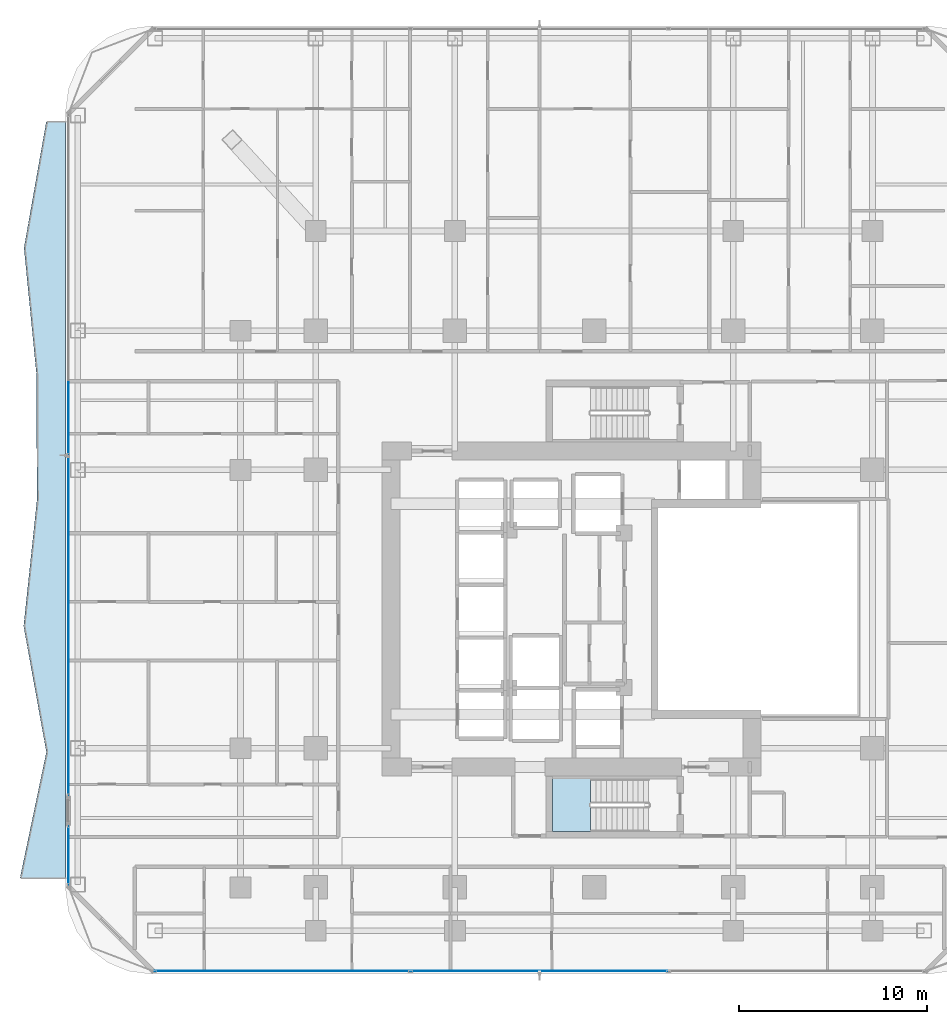
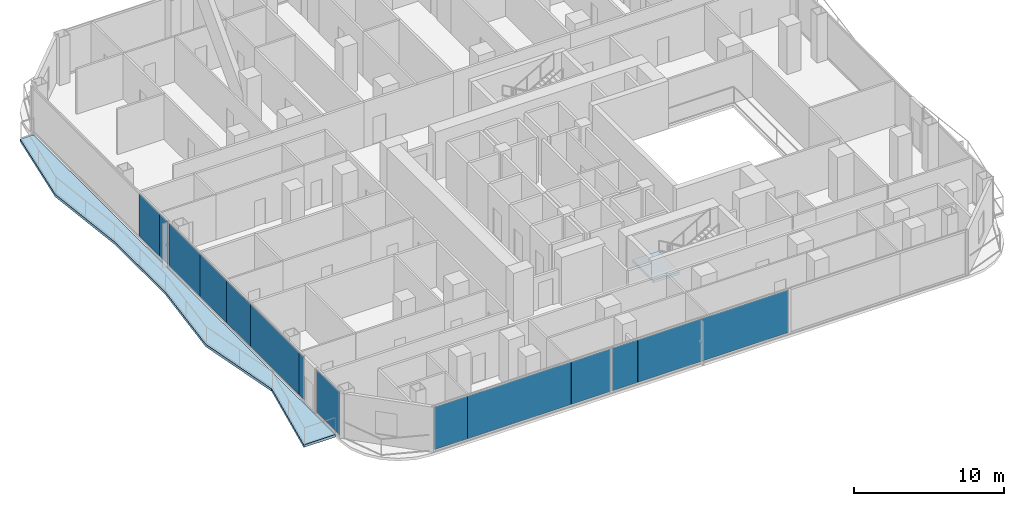
# One storey, part 17 of 28: 13 plates, 2 slabs, 4 elements without a shape of their own.
"""IFC4 building model written with IfcOpenShell, lengths in metres."""

from ifc_helpers import new_model, si_unit, direction, frame, origin, origin_2d, place, context, subcontext, project, spatial, polyline, rectangle, outline, extrude, material, layer, layer_set, type_object, element, aggregate, save


model = new_model("IFC4")

# Units and contexts
model_context = context("Model", 3, precision=1e-05, world=origin(), true_north=direction((0.0, 1.0)))
body_context = subcontext(model_context, "Body", "Model", "MODEL_VIEW")
ifc_project = project(units=[si_unit("LENGTHUNIT", "METRE"), si_unit("AREAUNIT", "SQUARE_METRE"), si_unit("VOLUMEUNIT", "CUBIC_METRE"), si_unit("PLANEANGLEUNIT", "RADIAN"), si_unit("MASSUNIT", "GRAM", prefix="KILO")], contexts=[model_context])

# Site, building, storey
site_placement = place(None, origin())
site = spatial("IfcSite", under=ifc_project, at=site_placement, CompositionType="ELEMENT")
building_placement = place(site_placement, origin())
building = spatial("IfcBuilding", under=site, at=building_placement, Name="Khorvyn Point Tower", CompositionType="ELEMENT")
storey_placement = place(building_placement, frame((0.0, 0.0, 89.10009765625)))
storey = spatial("IfcBuildingStorey", under=building, at=storey_placement, Name="L22", CompositionType="ELEMENT", Elevation=89.10009765625)

# Slab
ifc_material_1 = material(Name="Concrete C40/50", Category="concrete")
ifc_layer_1 = layer(ifc_material_1, 0.2099609375)
ifc_layer_set_1 = layer_set([ifc_layer_1], Name="Concrete C40/50 Rippling Balcony Slab 210")
slab_type_1 = type_object("IfcSlabType", Name="Concrete C40/50 Rippling Balcony Slab 210", PredefinedType="USERDEFINED", material=ifc_layer_set_1)
slab_1_placement = place(storey_placement, frame((0.0, 0.0, -0.210205078125)))
element("IfcSlab", 1, at=slab_1_placement, inside=storey, type_object=slab_type_1, Name="L22 West Sinusoidal Rippling Balcony", ObjectType="BALCONY", PredefinedType="USERDEFINED", context=body_context, shape_type="SweptSolid", body=[
    extrude(outline(polyline([(-28.10009765625, 25.89990234375), (-29.1279296875, 25.89990234375), (-30.3095703125, 19.199951171875), (-29.648193359375, 12.5), (-29.62060546875, 5.800048828125), (-30.330078125, -0.89990234375), (-29.11962890625, -7.60009765625), (-30.5224609375, -14.300048828125), (-28.10009765625, -14.300048828125), (-28.10009765625, 25.89990234375)])), origin(), (0.0, 0.0, 1.0), 0.210205078125),
])

# Stair, slab
stair_type = type_object("IfcStairType", Name="Tower Concrete C40/50 Dogleg Exit Stair", PredefinedType="HALF_TURN_STAIR", material=ifc_material_1)
stair_placement = place(storey_placement, origin())
stair = element("IfcStair", 2, at=stair_placement, inside=storey, type_object=stair_type, Name="L22 Tower Smokeproof Exit Stair South", PredefinedType="HALF_TURN_STAIR")
ifc_layer_2 = layer(ifc_material_1, 0.199951171875)
ifc_layer_set_2 = layer_set([ifc_layer_2], Name="Concrete C40/50 Stair Landing Slab 200")
slab_type_2 = type_object("IfcSlabType", Name="Concrete C40/50 Stair Landing Slab 200", PredefinedType="LANDING", material=ifc_layer_set_2)
slab_2_placement = place(storey_placement, frame((0.0, 0.0, 1.75)))
slab_2 = element("IfcSlab", 3, at=slab_2_placement, type_object=slab_type_2, Name="ST-01 landing 1", PredefinedType="LANDING", context=body_context, shape_type="SweptSolid", body=[
    extrude(outline(polyline([(-0.179931640625, -9.02001953125), (-2.199951171875, -9.02001953125), (-2.199951171875, -11.820068359375), (-0.179931640625, -11.820068359375), (-0.179931640625, -9.02001953125)])), origin(), (0.0, 0.0, 1.0), 0.199951171875),
])
aggregate(stair, [slab_2])

# Curtain wall, plates
ifc_material_2 = material(Name="Anodised aluminium 6063-T6 and laminated Low-E glass", Category="aluminium")
ifc_layer_3 = layer(ifc_material_2, 0.18994140625)
ifc_layer_set_3 = layer_set([ifc_layer_3], Name="Stick-Built Finned Residential Curtain Wall CW-SYS-02")
curtain_wall_type = type_object("IfcCurtainWallType", Name="Stick-Built Finned Residential Curtain Wall CW-SYS-02", PredefinedType="NOTDEFINED", material=ifc_layer_set_3)
curtain_wall_1_placement = place(storey_placement, origin())
curtain_wall_1 = element("IfcCurtainWall", 4, at=curtain_wall_1_placement, inside=storey, type_object=curtain_wall_type, Name="Curtain Wall", PredefinedType="NOTDEFINED")
ifc_material_3 = material(Name="Laminated Low-E insulated glass", Category="glass")
ifc_layer_4 = layer(ifc_material_3, 0.028076171875)
ifc_layer_set_4 = layer_set([ifc_layer_4], Name="Tempered Low-E Vision Glazing Panel CW-GL28")
plate_type = type_object("IfcPlateType", Name="Tempered Low-E Vision Glazing Panel CW-GL28", PredefinedType="CURTAIN_PANEL", material=ifc_layer_set_4)
plate_1_placement = place(storey_placement, frame((-8.697021484375, -19.25, 0.099853515625), z_axis=(0.0, 0.0, 1.0), x_axis=(-1.0, 0.0, 0.0)))
plate_1 = element("IfcPlate", 5, at=plate_1_placement, type_object=plate_type, Name="Panel", PredefinedType="CURTAIN_PANEL", context=body_context, shape_type="SweptSolid", body=[
    extrude(rectangle(XDim=1.998046875, YDim=0.028076171875, at=origin_2d()), origin(), (0.0, 0.0, 1.0), 3.47998046875),
])
plate_2_placement = place(storey_placement, frame((-1.89697265625, -19.25, 0.099853515625), z_axis=(0.0, 0.0, 1.0), x_axis=(-1.0, 0.0, 0.0)))
plate_2 = element("IfcPlate", 6, at=plate_2_placement, type_object=plate_type, Name="Panel", PredefinedType="CURTAIN_PANEL", context=body_context, shape_type="SweptSolid", body=[
    extrude(rectangle(XDim=11.5859375, YDim=0.028076171875, at=origin_2d()), origin(), (0.0, 0.0, 1.0), 3.47998046875),
])
plate_3_placement = place(storey_placement, frame((-22.068115234375, -19.25, 0.099853515625), z_axis=(0.0, 0.0, 1.0), x_axis=(-1.0, 0.0, 0.0)))
plate_3 = element("IfcPlate", 7, at=plate_3_placement, type_object=plate_type, Name="Panel", PredefinedType="CURTAIN_PANEL", context=body_context, shape_type="SweptSolid", body=[
    extrude(rectangle(XDim=2.555908203125, YDim=0.028076171875, at=origin_2d()), origin(), (0.0, 0.0, 1.0), 3.47998046875),
])
plate_4_placement = place(storey_placement, frame((-16.798583984375, -19.25, 0.099853515625), z_axis=(0.0, 0.0, 1.0), x_axis=(-1.0, 0.0, 0.0)))
plate_4 = element("IfcPlate", 8, at=plate_4_placement, type_object=plate_type, Name="Panel", PredefinedType="CURTAIN_PANEL", context=body_context, shape_type="SweptSolid", body=[
    extrude(rectangle(XDim=7.967041015625, YDim=0.028076171875, at=origin_2d()), origin(), (0.0, 0.0, 1.0), 3.47998046875),
])
plate_5_placement = place(storey_placement, frame((-11.305419921875, -19.25, 0.099853515625), z_axis=(0.0, 0.0, 1.0), x_axis=(-1.0, 0.0, 0.0)))
plate_5 = element("IfcPlate", 9, at=plate_5_placement, type_object=plate_type, Name="Panel", PredefinedType="CURTAIN_PANEL", context=body_context, shape_type="SweptSolid", body=[
    extrude(rectangle(XDim=3.0029296875, YDim=0.028076171875, at=origin_2d()), origin(), (0.0, 0.0, 1.0), 3.47998046875),
])
aggregate(curtain_wall_1, [plate_1, plate_2, plate_3, plate_4, plate_5])

# Curtain wall, plate
curtain_wall_2_placement = place(storey_placement, origin())
curtain_wall_2 = element("IfcCurtainWall", 10, at=curtain_wall_2_placement, inside=storey, type_object=curtain_wall_type, Name="Curtain Wall", PredefinedType="NOTDEFINED")
plate_6_placement = place(storey_placement, frame((-27.949951171875, -13.094970703125, 0.099853515625), z_axis=(0.0, 0.0, 1.0), x_axis=(0.0, 1.0, 0.0)))
plate_6 = element("IfcPlate", 11, at=plate_6_placement, type_object=plate_type, Name="Panel", PredefinedType="CURTAIN_PANEL", context=body_context, shape_type="SweptSolid", body=[
    extrude(rectangle(XDim=3.110107421875, YDim=0.028076171875, at=origin_2d()), origin(), (0.0, 0.0, 1.0), 3.47998046875),
])
aggregate(curtain_wall_2, [plate_6])

# Curtain wall, plates
curtain_wall_3_placement = place(storey_placement, origin())
curtain_wall_3 = element("IfcCurtainWall", 12, at=curtain_wall_3_placement, inside=storey, type_object=curtain_wall_type, Name="Curtain Wall", PredefinedType="NOTDEFINED")
plate_7_placement = place(storey_placement, frame((-27.949951171875, -9.580078125, 0.099853515625), z_axis=(0.0, 0.0, 1.0), x_axis=(0.0, 1.0, 0.0)))
plate_7 = element("IfcPlate", 13, at=plate_7_placement, type_object=plate_type, Name="Panel", PredefinedType="CURTAIN_PANEL", context=body_context, shape_type="SweptSolid", body=[
    extrude(rectangle(XDim=0.632080078125, YDim=0.028076171875, at=origin_2d()), origin(), (0.0, 0.0, 1.0), 3.47998046875),
])
plate_8_placement = place(storey_placement, frame((-27.949951171875, -6.025390625, 0.099853515625), z_axis=(0.0, 0.0, 1.0), x_axis=(0.0, 1.0, 0.0)))
plate_8 = element("IfcPlate", 14, at=plate_8_placement, type_object=plate_type, Name="Panel", PredefinedType="CURTAIN_PANEL", context=body_context, shape_type="SweptSolid", body=[
    extrude(rectangle(XDim=6.4609375, YDim=0.028076171875, at=origin_2d()), origin(), (0.0, 0.0, 1.0), 3.47998046875),
])
plate_9_placement = place(storey_placement, frame((-27.949951171875, -1.173583984375, 0.099853515625), z_axis=(0.0, 0.0, 1.0), x_axis=(0.0, 1.0, 0.0)))
plate_9 = element("IfcPlate", 15, at=plate_9_placement, type_object=plate_type, Name="Panel", PredefinedType="CURTAIN_PANEL", context=body_context, shape_type="SweptSolid", body=[
    extrude(rectangle(XDim=3.22705078125, YDim=0.028076171875, at=origin_2d()), origin(), (0.0, 0.0, 1.0), 3.47998046875),
])
plate_10_placement = place(storey_placement, frame((-27.949951171875, 2.2119140625, 0.099853515625), z_axis=(0.0, 0.0, 1.0), x_axis=(0.0, 1.0, 0.0)))
plate_10 = element("IfcPlate", 16, at=plate_10_placement, type_object=plate_type, Name="Panel", PredefinedType="CURTAIN_PANEL", context=body_context, shape_type="SweptSolid", body=[
    extrude(rectangle(XDim=3.528076171875, YDim=0.028076171875, at=origin_2d()), origin(), (0.0, 0.0, 1.0), 3.47998046875),
])
plate_11_placement = place(storey_placement, frame((-27.949951171875, 6.052490234375, 0.099853515625), z_axis=(0.0, 0.0, 1.0), x_axis=(0.0, 1.0, 0.0)))
plate_11 = element("IfcPlate", 17, at=plate_11_placement, type_object=plate_type, Name="Panel", PredefinedType="CURTAIN_PANEL", context=body_context, shape_type="SweptSolid", body=[
    extrude(rectangle(XDim=4.136962890625, YDim=0.028076171875, at=origin_2d()), origin(), (0.0, 0.0, 1.0), 3.47998046875),
])
plate_12_placement = place(storey_placement, frame((-27.949951171875, 8.802490234375, 0.099853515625), z_axis=(0.0, 0.0, 1.0), x_axis=(0.0, 1.0, 0.0)))
plate_12 = element("IfcPlate", 18, at=plate_12_placement, type_object=plate_type, Name="Panel", PredefinedType="CURTAIN_PANEL", context=body_context, shape_type="SweptSolid", body=[
    extrude(rectangle(XDim=1.14697265625, YDim=0.028076171875, at=origin_2d()), origin(), (0.0, 0.0, 1.0), 3.47998046875),
])
plate_13_placement = place(storey_placement, frame((-27.949951171875, 10.719970703125, 0.099853515625), z_axis=(0.0, 0.0, 1.0), x_axis=(0.0, 1.0, 0.0)))
plate_13 = element("IfcPlate", 19, at=plate_13_placement, type_object=plate_type, Name="Panel", PredefinedType="CURTAIN_PANEL", context=body_context, shape_type="SweptSolid", body=[
    extrude(rectangle(XDim=2.672119140625, YDim=0.028076171875, at=origin_2d()), origin(), (0.0, 0.0, 1.0), 3.47998046875),
])
aggregate(curtain_wall_3, [plate_7, plate_8, plate_9, plate_10, plate_11, plate_12, plate_13])

save(model, "model.ifc")
